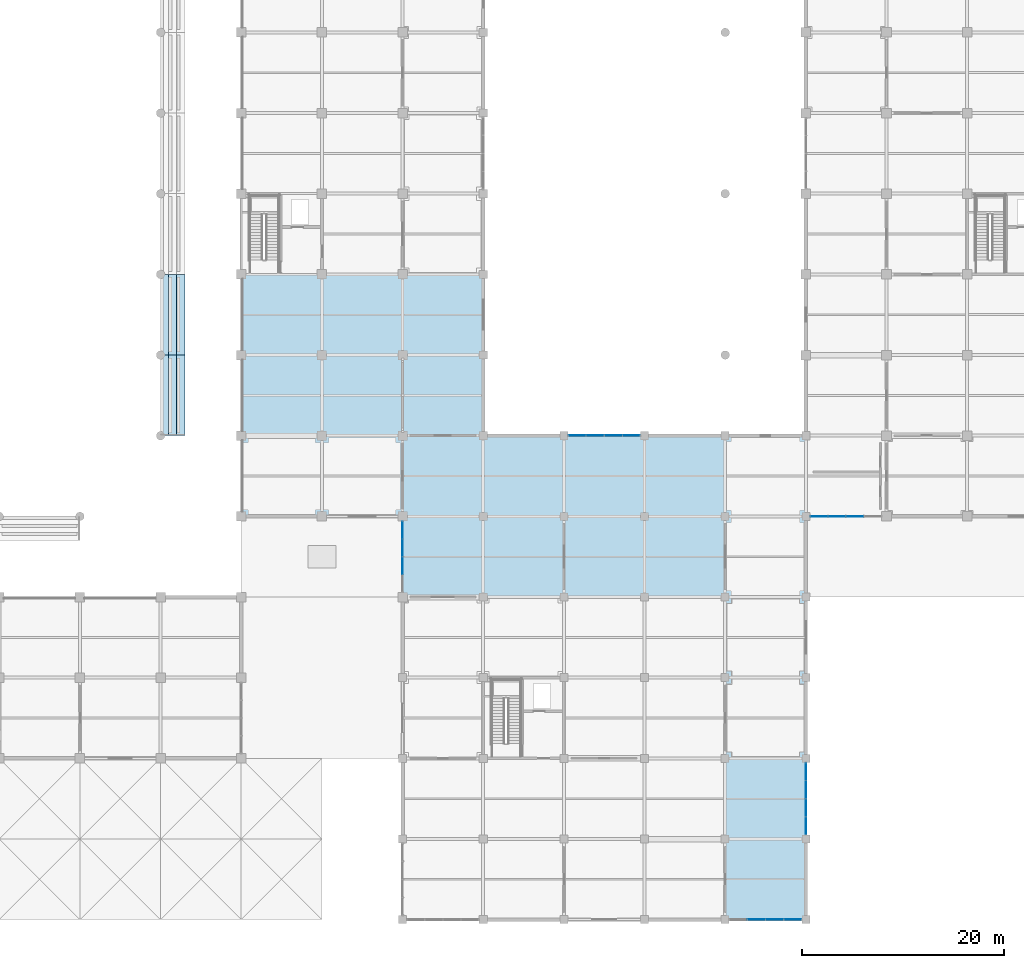
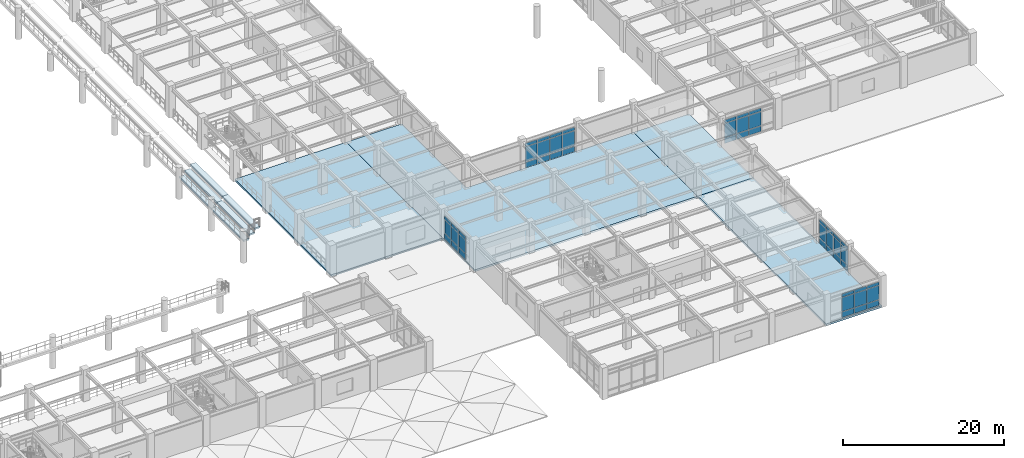
# One storey, part 59 of 109: 51 plates, 10 slabs, 5 elements without a shape of their own.
"""IFC4 building model written with IfcOpenShell, lengths in metres."""

from ifc_helpers import new_model, si_unit, direction, frame, origin, origin_2d, place, context, subcontext, project, spatial, polyline, rectangle, outline, extrude, material, layer, layer_set, type_object, element, aggregate, save


model = new_model("IFC4")

# Units and contexts
model_context = context("Model", 3, precision=1e-05, world=origin(), true_north=direction((0.0, 1.0)))
body_context = subcontext(model_context, "Body", "Model", "MODEL_VIEW")
ifc_project = project(units=[si_unit("LENGTHUNIT", "METRE"), si_unit("AREAUNIT", "SQUARE_METRE"), si_unit("VOLUMEUNIT", "CUBIC_METRE"), si_unit("PLANEANGLEUNIT", "RADIAN"), si_unit("MASSUNIT", "GRAM", prefix="KILO")], contexts=[model_context])

# Site, building, storey
site_placement = place(None, origin())
site = spatial("IfcSite", under=ifc_project, at=site_placement, CompositionType="ELEMENT")
building_placement = place(site_placement, origin())
building = spatial("IfcBuilding", under=site, at=building_placement, Name="Haebicheon Civic Stadium", CompositionType="ELEMENT")
storey_placement = place(building_placement, frame((0.0, 0.0, 9.60009765625)))
storey = spatial("IfcBuildingStorey", under=building, at=storey_placement, Name="L03", CompositionType="ELEMENT", Elevation=9.60009765625)

# Curtain wall, plates
ifc_material_1 = material(Name="Anodised aluminium and laminated glass", Category="aluminium")
ifc_layer_1 = layer(ifc_material_1, 0.179931640625, Name="Anodised aluminium and laminated glass")
ifc_layer_set_1 = layer_set([ifc_layer_1], Name="Anodised aluminium and laminated glass")
curtain_wall_type_1 = type_object("IfcCurtainWallType", Name="CW-7050x3520", PredefinedType="NOTDEFINED", material=ifc_layer_set_1)
curtain_wall_1_placement = place(storey_placement, origin())
curtain_wall_1 = element("IfcCurtainWall", 1, at=curtain_wall_1_placement, inside=storey, type_object=curtain_wall_type_1, material=ifc_layer_set_1, Name="L03 unitised curtain wall 087", PredefinedType="NOTDEFINED")
ifc_material_2 = material(Name="Double low-e laminated glass", Category="glass")
ifc_layer_2 = layer(ifc_material_2, 0.028076171875, Name="Double low-e laminated glass")
ifc_layer_set_2 = layer_set([ifc_layer_2], Name="Double low-e laminated glass")
plate_type_1 = type_object("IfcPlateType", Name="CWP-GLZ-28", PredefinedType="CURTAIN_PANEL", material=ifc_layer_set_2)
plate_1_placement = place(storey_placement, frame((160.0, 35.117919921875, 1.094970703125), z_axis=(0.0, 0.0, 1.0), x_axis=(0.0, 1.0, 0.0)))
plate_1 = element("IfcPlate", 2, at=plate_1_placement, type_object=plate_type_1, material=ifc_layer_set_2, Name="CW-L03-087 vision panel 2.2", PredefinedType="CURTAIN_PANEL", context=body_context, shape_type="SweptSolid", body=[
    extrude(rectangle(XDim=1.693115234375, YDim=0.028076171875, at=origin_2d()), origin(), (0.0, 0.0, 1.0), 2.0),
])
plate_2_placement = place(storey_placement, frame((160.0, 36.882080078125, 1.094970703125), z_axis=(0.0, 0.0, 1.0), x_axis=(0.0, 1.0, 0.0)))
plate_2 = element("IfcPlate", 3, at=plate_2_placement, type_object=plate_type_1, material=ifc_layer_set_2, Name="CW-L03-087 vision panel 3.2", PredefinedType="CURTAIN_PANEL", context=body_context, shape_type="SweptSolid", body=[
    extrude(rectangle(XDim=1.693115234375, YDim=0.028076171875, at=origin_2d()), origin(), (0.0, 0.0, 1.0), 2.0),
])
plate_3_placement = place(storey_placement, frame((160.0, 38.6259765625, 1.094970703125), z_axis=(0.0, 0.0, 1.0), x_axis=(0.0, 1.0, 0.0)))
plate_3 = element("IfcPlate", 4, at=plate_3_placement, type_object=plate_type_1, material=ifc_layer_set_2, Name="CW-L03-087 vision panel 4.2", PredefinedType="CURTAIN_PANEL", context=body_context, shape_type="SweptSolid", body=[
    extrude(rectangle(XDim=1.656982421875, YDim=0.028076171875, at=origin_2d()), origin(), (0.0, 0.0, 1.0), 2.0),
])

ifc_material_3 = material(Name="Anodised aluminium and laminated glass", Category="aluminium")
ifc_layer_3 = layer(ifc_material_3, 0.179931640625, Name="Anodised aluminium and laminated glass")
ifc_layer_set_3 = layer_set([ifc_layer_3], Name="Anodised aluminium and laminated glass")
curtain_wall_type_2 = type_object("IfcCurtainWallType", Name="CW-7200x3790", PredefinedType="NOTDEFINED", material=ifc_layer_set_3)
curtain_wall_2_placement = place(storey_placement, origin())
curtain_wall_2 = element("IfcCurtainWall", 5, at=curtain_wall_2_placement, inside=storey, type_object=curtain_wall_type_2, material=ifc_layer_set_3, Name="L03 unitised curtain wall 092", PredefinedType="NOTDEFINED")
plate_4_placement = place(storey_placement, frame((177.318115234375, 48.0, 0.934814453125), z_axis=(0.0, 0.0, 1.0), x_axis=(1.0, 0.0, 0.0)))
plate_4 = element("IfcPlate", 6, at=plate_4_placement, type_object=plate_type_1, material=ifc_layer_set_2, Name="CW-L03-092 vision panel 1.2", PredefinedType="CURTAIN_PANEL", context=body_context, shape_type="SweptSolid", body=[
    extrude(rectangle(XDim=1.695068359375, YDim=0.028076171875, at=origin_2d()), origin(), (0.0, 0.0, 1.0), 2.27001953125),
])
plate_5_placement = place(storey_placement, frame((179.10009765625, 48.0, 0.934814453125), z_axis=(0.0, 0.0, 1.0), x_axis=(1.0, 0.0, 0.0)))
plate_5 = element("IfcPlate", 7, at=plate_5_placement, type_object=plate_type_1, material=ifc_layer_set_2, Name="CW-L03-092 vision panel 2.2", PredefinedType="CURTAIN_PANEL", context=body_context, shape_type="SweptSolid", body=[
    extrude(rectangle(XDim=1.72998046875, YDim=0.028076171875, at=origin_2d()), origin(), (0.0, 0.0, 1.0), 2.27001953125),
])
plate_6_placement = place(storey_placement, frame((180.89990234375, 48.0, 0.934814453125), z_axis=(0.0, 0.0, 1.0), x_axis=(1.0, 0.0, 0.0)))
plate_6 = element("IfcPlate", 8, at=plate_6_placement, type_object=plate_type_1, material=ifc_layer_set_2, Name="CW-L03-092 vision panel 3.2", PredefinedType="CURTAIN_PANEL", context=body_context, shape_type="SweptSolid", body=[
    extrude(rectangle(XDim=1.72998046875, YDim=0.028076171875, at=origin_2d()), origin(), (0.0, 0.0, 1.0), 2.27001953125),
])
plate_7_placement = place(storey_placement, frame((182.681884765625, 48.0, 0.934814453125), z_axis=(0.0, 0.0, 1.0), x_axis=(1.0, 0.0, 0.0)))
plate_7 = element("IfcPlate", 9, at=plate_7_placement, type_object=plate_type_1, material=ifc_layer_set_2, Name="CW-L03-092 vision panel 4.2", PredefinedType="CURTAIN_PANEL", context=body_context, shape_type="SweptSolid", body=[
    extrude(rectangle(XDim=1.695068359375, YDim=0.028076171875, at=origin_2d()), origin(), (0.0, 0.0, 1.0), 2.27001953125),
])

ifc_material_4 = material(Name="Anodised aluminium and laminated glass", Category="aluminium")
ifc_layer_4 = layer(ifc_material_4, 0.179931640625, Name="Anodised aluminium and laminated glass")
ifc_layer_set_4 = layer_set([ifc_layer_4], Name="Anodised aluminium and laminated glass")
curtain_wall_type_3 = type_object("IfcCurtainWallType", Name="CW-7200x3630", PredefinedType="NOTDEFINED", material=ifc_layer_set_4)
curtain_wall_3_placement = place(storey_placement, origin())
curtain_wall_3 = element("IfcCurtainWall", 10, at=curtain_wall_3_placement, inside=storey, type_object=curtain_wall_type_3, material=ifc_layer_set_4, Name="L03 unitised curtain wall 094", PredefinedType="NOTDEFINED")
plate_8_placement = place(storey_placement, frame((195.10009765625, 0.0, 1.0947265625), z_axis=(0.0, 0.0, 1.0), x_axis=(1.0, 0.0, 0.0)))
plate_8 = element("IfcPlate", 11, at=plate_8_placement, type_object=plate_type_1, material=ifc_layer_set_2, Name="CW-L03-094 vision panel 2.2", PredefinedType="CURTAIN_PANEL", context=body_context, shape_type="SweptSolid", body=[
    extrude(rectangle(XDim=1.72998046875, YDim=0.028076171875, at=origin_2d()), origin(), (0.0, 0.0, 1.0), 2.110107421875),
])
plate_9_placement = place(storey_placement, frame((196.89990234375, 0.0, 1.0947265625), z_axis=(0.0, 0.0, 1.0), x_axis=(1.0, 0.0, 0.0)))
plate_9 = element("IfcPlate", 12, at=plate_9_placement, type_object=plate_type_1, material=ifc_layer_set_2, Name="CW-L03-094 vision panel 3.2", PredefinedType="CURTAIN_PANEL", context=body_context, shape_type="SweptSolid", body=[
    extrude(rectangle(XDim=1.72998046875, YDim=0.028076171875, at=origin_2d()), origin(), (0.0, 0.0, 1.0), 2.110107421875),
])
plate_10_placement = place(storey_placement, frame((198.681884765625, 0.0, 1.0947265625), z_axis=(0.0, 0.0, 1.0), x_axis=(1.0, 0.0, 0.0)))
plate_10 = element("IfcPlate", 13, at=plate_10_placement, type_object=plate_type_1, material=ifc_layer_set_2, Name="CW-L03-094 vision panel 4.2", PredefinedType="CURTAIN_PANEL", context=body_context, shape_type="SweptSolid", body=[
    extrude(rectangle(XDim=1.695068359375, YDim=0.028076171875, at=origin_2d()), origin(), (0.0, 0.0, 1.0), 2.110107421875),
])

curtain_wall_4_placement = place(storey_placement, origin())
curtain_wall_4 = element("IfcCurtainWall", 14, at=curtain_wall_4_placement, inside=storey, type_object=curtain_wall_type_2, material=ifc_layer_set_3, Name="L03 unitised curtain wall 095", PredefinedType="NOTDEFINED")
plate_11_placement = place(storey_placement, frame((200.0, 9.318115234375, 0.934814453125), z_axis=(0.0, 0.0, 1.0), x_axis=(0.0, 1.0, 0.0)))
plate_11 = element("IfcPlate", 15, at=plate_11_placement, type_object=plate_type_1, material=ifc_layer_set_2, Name="CW-L03-095 vision panel 1.2", PredefinedType="CURTAIN_PANEL", context=body_context, shape_type="SweptSolid", body=[
    extrude(rectangle(XDim=1.695068359375, YDim=0.028076171875, at=origin_2d()), origin(), (0.0, 0.0, 1.0), 2.27001953125),
])
plate_12_placement = place(storey_placement, frame((200.0, 11.10009765625, 0.934814453125), z_axis=(0.0, 0.0, 1.0), x_axis=(0.0, 1.0, 0.0)))
plate_12 = element("IfcPlate", 16, at=plate_12_placement, type_object=plate_type_1, material=ifc_layer_set_2, Name="CW-L03-095 vision panel 2.2", PredefinedType="CURTAIN_PANEL", context=body_context, shape_type="SweptSolid", body=[
    extrude(rectangle(XDim=1.72998046875, YDim=0.028076171875, at=origin_2d()), origin(), (0.0, 0.0, 1.0), 2.27001953125),
])
plate_13_placement = place(storey_placement, frame((200.0, 12.89990234375, 0.934814453125), z_axis=(0.0, 0.0, 1.0), x_axis=(0.0, 1.0, 0.0)))
plate_13 = element("IfcPlate", 17, at=plate_13_placement, type_object=plate_type_1, material=ifc_layer_set_2, Name="CW-L03-095 vision panel 3.2", PredefinedType="CURTAIN_PANEL", context=body_context, shape_type="SweptSolid", body=[
    extrude(rectangle(XDim=1.72998046875, YDim=0.028076171875, at=origin_2d()), origin(), (0.0, 0.0, 1.0), 2.27001953125),
])
plate_14_placement = place(storey_placement, frame((200.0, 14.681884765625, 0.934814453125), z_axis=(0.0, 0.0, 1.0), x_axis=(0.0, 1.0, 0.0)))
plate_14 = element("IfcPlate", 18, at=plate_14_placement, type_object=plate_type_1, material=ifc_layer_set_2, Name="CW-L03-095 vision panel 4.2", PredefinedType="CURTAIN_PANEL", context=body_context, shape_type="SweptSolid", body=[
    extrude(rectangle(XDim=1.695068359375, YDim=0.028076171875, at=origin_2d()), origin(), (0.0, 0.0, 1.0), 2.27001953125),
])

ifc_material_5 = material(Name="Anodised aluminium and laminated glass", Category="aluminium")
ifc_layer_5 = layer(ifc_material_5, 0.179931640625, Name="Anodised aluminium and laminated glass")
ifc_layer_set_5 = layer_set([ifc_layer_5], Name="Anodised aluminium and laminated glass")
curtain_wall_type_4 = type_object("IfcCurtainWallType", Name="CW-7125x3630", PredefinedType="NOTDEFINED", material=ifc_layer_set_5)
curtain_wall_5_placement = place(storey_placement, origin())
curtain_wall_5 = element("IfcCurtainWall", 19, at=curtain_wall_5_placement, inside=storey, type_object=curtain_wall_type_4, material=ifc_layer_set_5, Name="L03 unitised curtain wall 097", PredefinedType="NOTDEFINED")
plate_15_placement = place(storey_placement, frame((201.30810546875, 40.0, 1.0947265625), z_axis=(0.0, 0.0, 1.0), x_axis=(1.0, 0.0, 0.0)))
plate_15 = element("IfcPlate", 20, at=plate_15_placement, type_object=plate_type_1, material=ifc_layer_set_2, Name="CW-L03-097 vision panel 1.2", PredefinedType="CURTAIN_PANEL", context=body_context, shape_type="SweptSolid", body=[
    extrude(rectangle(XDim=1.676025390625, YDim=0.028076171875, at=origin_2d()), origin(), (0.0, 0.0, 1.0), 2.110107421875),
])
plate_16_placement = place(storey_placement, frame((203.072021484375, 40.0, 1.0947265625), z_axis=(0.0, 0.0, 1.0), x_axis=(1.0, 0.0, 0.0)))
plate_16 = element("IfcPlate", 21, at=plate_16_placement, type_object=plate_type_1, material=ifc_layer_set_2, Name="CW-L03-097 vision panel 2.2", PredefinedType="CURTAIN_PANEL", context=body_context, shape_type="SweptSolid", body=[
    extrude(rectangle(XDim=1.7109375, YDim=0.028076171875, at=origin_2d()), origin(), (0.0, 0.0, 1.0), 2.110107421875),
])
plate_17_placement = place(storey_placement, frame((204.85302734375, 40.0, 1.0947265625), z_axis=(0.0, 0.0, 1.0), x_axis=(1.0, 0.0, 0.0)))
plate_17 = element("IfcPlate", 22, at=plate_17_placement, type_object=plate_type_1, material=ifc_layer_set_2, Name="CW-L03-097 vision panel 3.2", PredefinedType="CURTAIN_PANEL", context=body_context, shape_type="SweptSolid", body=[
    extrude(rectangle(XDim=1.7119140625, YDim=0.028076171875, at=origin_2d()), origin(), (0.0, 0.0, 1.0), 2.110107421875),
])

# Plate
ifc_material_6 = material(Name="Anodised aluminium 6063-T6", Category="aluminium")
ifc_layer_6 = layer(ifc_material_6, 0.0439453125, Name="Anodised aluminium 6063-T6")
ifc_layer_set_6 = layer_set([ifc_layer_6], Name="Anodised aluminium 6063-T6")
plate_type_2 = type_object("IfcPlateType", Name="CWP-SPD-44", PredefinedType="CURTAIN_PANEL", material=ifc_layer_set_6)
plate_18_placement = place(storey_placement, frame((160.0, 35.117919921875, 0.19482421875), z_axis=(0.0, 0.0, 1.0), x_axis=(0.0, 1.0, 0.0)))
plate_18 = element("IfcPlate", 23, at=plate_18_placement, type_object=plate_type_2, material=ifc_layer_set_6, Name="CW-L03-087 spandrel panel 2.1", PredefinedType="CURTAIN_PANEL", context=body_context, shape_type="SweptSolid", body=[
    extrude(rectangle(XDim=1.693115234375, YDim=0.0439453125, at=origin_2d()), origin(), (0.0, 0.0, 1.0), 0.830078125),
])

plate_19_placement = place(storey_placement, frame((160.0, 35.117919921875, 3.164794921875), z_axis=(0.0, 0.0, 1.0), x_axis=(0.0, 1.0, 0.0)))
plate_19 = element("IfcPlate", 24, at=plate_19_placement, type_object=plate_type_2, material=ifc_layer_set_6, Name="CW-L03-087 spandrel panel 2.3", PredefinedType="CURTAIN_PANEL", context=body_context, shape_type="SweptSolid", body=[
    extrude(rectangle(XDim=1.693115234375, YDim=0.0439453125, at=origin_2d()), origin(), (0.0, 0.0, 1.0), 0.47998046875),
])

plate_20_placement = place(storey_placement, frame((160.0, 36.882080078125, 0.19482421875), z_axis=(0.0, 0.0, 1.0), x_axis=(0.0, 1.0, 0.0)))
plate_20 = element("IfcPlate", 25, at=plate_20_placement, type_object=plate_type_2, material=ifc_layer_set_6, Name="CW-L03-087 spandrel panel 3.1", PredefinedType="CURTAIN_PANEL", context=body_context, shape_type="SweptSolid", body=[
    extrude(rectangle(XDim=1.693115234375, YDim=0.0439453125, at=origin_2d()), origin(), (0.0, 0.0, 1.0), 0.830078125),
])

plate_21_placement = place(storey_placement, frame((160.0, 36.882080078125, 3.164794921875), z_axis=(0.0, 0.0, 1.0), x_axis=(0.0, 1.0, 0.0)))
plate_21 = element("IfcPlate", 26, at=plate_21_placement, type_object=plate_type_2, material=ifc_layer_set_6, Name="CW-L03-087 spandrel panel 3.3", PredefinedType="CURTAIN_PANEL", context=body_context, shape_type="SweptSolid", body=[
    extrude(rectangle(XDim=1.693115234375, YDim=0.0439453125, at=origin_2d()), origin(), (0.0, 0.0, 1.0), 0.47998046875),
])

plate_22_placement = place(storey_placement, frame((160.0, 38.6259765625, 0.19482421875), z_axis=(0.0, 0.0, 1.0), x_axis=(0.0, 1.0, 0.0)))
plate_22 = element("IfcPlate", 27, at=plate_22_placement, type_object=plate_type_2, material=ifc_layer_set_6, Name="CW-L03-087 spandrel panel 4.1", PredefinedType="CURTAIN_PANEL", context=body_context, shape_type="SweptSolid", body=[
    extrude(rectangle(XDim=1.656982421875, YDim=0.0439453125, at=origin_2d()), origin(), (0.0, 0.0, 1.0), 0.830078125),
])

plate_23_placement = place(storey_placement, frame((160.0, 38.6259765625, 3.164794921875), z_axis=(0.0, 0.0, 1.0), x_axis=(0.0, 1.0, 0.0)))
plate_23 = element("IfcPlate", 28, at=plate_23_placement, type_object=plate_type_2, material=ifc_layer_set_6, Name="CW-L03-087 spandrel panel 4.3", PredefinedType="CURTAIN_PANEL", context=body_context, shape_type="SweptSolid", body=[
    extrude(rectangle(XDim=1.656982421875, YDim=0.0439453125, at=origin_2d()), origin(), (0.0, 0.0, 1.0), 0.47998046875),
])

aggregate(curtain_wall_1, [plate_18, plate_1, plate_19, plate_20, plate_2, plate_21, plate_22, plate_3, plate_23])

plate_24_placement = place(storey_placement, frame((177.318115234375, 48.0, 0.034912109375), z_axis=(0.0, 0.0, 1.0), x_axis=(1.0, 0.0, 0.0)))
plate_24 = element("IfcPlate", 29, at=plate_24_placement, type_object=plate_type_2, material=ifc_layer_set_6, Name="CW-L03-092 spandrel panel 1.1", PredefinedType="CURTAIN_PANEL", context=body_context, shape_type="SweptSolid", body=[
    extrude(rectangle(XDim=1.695068359375, YDim=0.0439453125, at=origin_2d()), origin(), (0.0, 0.0, 1.0), 0.830078125),
])

plate_25_placement = place(storey_placement, frame((177.318115234375, 48.0, 3.27490234375), z_axis=(0.0, 0.0, 1.0), x_axis=(1.0, 0.0, 0.0)))
plate_25 = element("IfcPlate", 30, at=plate_25_placement, type_object=plate_type_2, material=ifc_layer_set_6, Name="CW-L03-092 spandrel panel 1.3", PredefinedType="CURTAIN_PANEL", context=body_context, shape_type="SweptSolid", body=[
    extrude(rectangle(XDim=1.695068359375, YDim=0.0439453125, at=origin_2d()), origin(), (0.0, 0.0, 1.0), 0.47998046875),
])

plate_26_placement = place(storey_placement, frame((179.10009765625, 48.0, 0.034912109375), z_axis=(0.0, 0.0, 1.0), x_axis=(1.0, 0.0, 0.0)))
plate_26 = element("IfcPlate", 31, at=plate_26_placement, type_object=plate_type_2, material=ifc_layer_set_6, Name="CW-L03-092 spandrel panel 2.1", PredefinedType="CURTAIN_PANEL", context=body_context, shape_type="SweptSolid", body=[
    extrude(rectangle(XDim=1.72998046875, YDim=0.0439453125, at=origin_2d()), origin(), (0.0, 0.0, 1.0), 0.830078125),
])

plate_27_placement = place(storey_placement, frame((179.10009765625, 48.0, 3.27490234375), z_axis=(0.0, 0.0, 1.0), x_axis=(1.0, 0.0, 0.0)))
plate_27 = element("IfcPlate", 32, at=plate_27_placement, type_object=plate_type_2, material=ifc_layer_set_6, Name="CW-L03-092 spandrel panel 2.3", PredefinedType="CURTAIN_PANEL", context=body_context, shape_type="SweptSolid", body=[
    extrude(rectangle(XDim=1.72998046875, YDim=0.0439453125, at=origin_2d()), origin(), (0.0, 0.0, 1.0), 0.47998046875),
])

plate_28_placement = place(storey_placement, frame((180.89990234375, 48.0, 0.034912109375), z_axis=(0.0, 0.0, 1.0), x_axis=(1.0, 0.0, 0.0)))
plate_28 = element("IfcPlate", 33, at=plate_28_placement, type_object=plate_type_2, material=ifc_layer_set_6, Name="CW-L03-092 spandrel panel 3.1", PredefinedType="CURTAIN_PANEL", context=body_context, shape_type="SweptSolid", body=[
    extrude(rectangle(XDim=1.72998046875, YDim=0.0439453125, at=origin_2d()), origin(), (0.0, 0.0, 1.0), 0.830078125),
])

plate_29_placement = place(storey_placement, frame((180.89990234375, 48.0, 3.27490234375), z_axis=(0.0, 0.0, 1.0), x_axis=(1.0, 0.0, 0.0)))
plate_29 = element("IfcPlate", 34, at=plate_29_placement, type_object=plate_type_2, material=ifc_layer_set_6, Name="CW-L03-092 spandrel panel 3.3", PredefinedType="CURTAIN_PANEL", context=body_context, shape_type="SweptSolid", body=[
    extrude(rectangle(XDim=1.72998046875, YDim=0.0439453125, at=origin_2d()), origin(), (0.0, 0.0, 1.0), 0.47998046875),
])

plate_30_placement = place(storey_placement, frame((182.681884765625, 48.0, 0.034912109375), z_axis=(0.0, 0.0, 1.0), x_axis=(1.0, 0.0, 0.0)))
plate_30 = element("IfcPlate", 35, at=plate_30_placement, type_object=plate_type_2, material=ifc_layer_set_6, Name="CW-L03-092 spandrel panel 4.1", PredefinedType="CURTAIN_PANEL", context=body_context, shape_type="SweptSolid", body=[
    extrude(rectangle(XDim=1.695068359375, YDim=0.0439453125, at=origin_2d()), origin(), (0.0, 0.0, 1.0), 0.830078125),
])

plate_31_placement = place(storey_placement, frame((182.681884765625, 48.0, 3.27490234375), z_axis=(0.0, 0.0, 1.0), x_axis=(1.0, 0.0, 0.0)))
plate_31 = element("IfcPlate", 36, at=plate_31_placement, type_object=plate_type_2, material=ifc_layer_set_6, Name="CW-L03-092 spandrel panel 4.3", PredefinedType="CURTAIN_PANEL", context=body_context, shape_type="SweptSolid", body=[
    extrude(rectangle(XDim=1.695068359375, YDim=0.0439453125, at=origin_2d()), origin(), (0.0, 0.0, 1.0), 0.47998046875),
])

aggregate(curtain_wall_2, [plate_24, plate_4, plate_25, plate_26, plate_5, plate_27, plate_28, plate_6, plate_29, plate_30, plate_7, plate_31])

plate_32_placement = place(storey_placement, frame((195.10009765625, 0.0, 0.19482421875), z_axis=(0.0, 0.0, 1.0), x_axis=(1.0, 0.0, 0.0)))
plate_32 = element("IfcPlate", 37, at=plate_32_placement, type_object=plate_type_2, material=ifc_layer_set_6, Name="CW-L03-094 spandrel panel 2.1", PredefinedType="CURTAIN_PANEL", context=body_context, shape_type="SweptSolid", body=[
    extrude(rectangle(XDim=1.72998046875, YDim=0.0439453125, at=origin_2d()), origin(), (0.0, 0.0, 1.0), 0.830078125),
])

plate_33_placement = place(storey_placement, frame((195.10009765625, 0.0, 3.27490234375), z_axis=(0.0, 0.0, 1.0), x_axis=(1.0, 0.0, 0.0)))
plate_33 = element("IfcPlate", 38, at=plate_33_placement, type_object=plate_type_2, material=ifc_layer_set_6, Name="CW-L03-094 spandrel panel 2.3", PredefinedType="CURTAIN_PANEL", context=body_context, shape_type="SweptSolid", body=[
    extrude(rectangle(XDim=1.72998046875, YDim=0.0439453125, at=origin_2d()), origin(), (0.0, 0.0, 1.0), 0.47998046875),
])

plate_34_placement = place(storey_placement, frame((196.89990234375, 0.0, 0.19482421875), z_axis=(0.0, 0.0, 1.0), x_axis=(1.0, 0.0, 0.0)))
plate_34 = element("IfcPlate", 39, at=plate_34_placement, type_object=plate_type_2, material=ifc_layer_set_6, Name="CW-L03-094 spandrel panel 3.1", PredefinedType="CURTAIN_PANEL", context=body_context, shape_type="SweptSolid", body=[
    extrude(rectangle(XDim=1.72998046875, YDim=0.0439453125, at=origin_2d()), origin(), (0.0, 0.0, 1.0), 0.830078125),
])

plate_35_placement = place(storey_placement, frame((196.89990234375, 0.0, 3.27490234375), z_axis=(0.0, 0.0, 1.0), x_axis=(1.0, 0.0, 0.0)))
plate_35 = element("IfcPlate", 40, at=plate_35_placement, type_object=plate_type_2, material=ifc_layer_set_6, Name="CW-L03-094 spandrel panel 3.3", PredefinedType="CURTAIN_PANEL", context=body_context, shape_type="SweptSolid", body=[
    extrude(rectangle(XDim=1.72998046875, YDim=0.0439453125, at=origin_2d()), origin(), (0.0, 0.0, 1.0), 0.47998046875),
])

plate_36_placement = place(storey_placement, frame((198.681884765625, 0.0, 0.19482421875), z_axis=(0.0, 0.0, 1.0), x_axis=(1.0, 0.0, 0.0)))
plate_36 = element("IfcPlate", 41, at=plate_36_placement, type_object=plate_type_2, material=ifc_layer_set_6, Name="CW-L03-094 spandrel panel 4.1", PredefinedType="CURTAIN_PANEL", context=body_context, shape_type="SweptSolid", body=[
    extrude(rectangle(XDim=1.695068359375, YDim=0.0439453125, at=origin_2d()), origin(), (0.0, 0.0, 1.0), 0.830078125),
])

plate_37_placement = place(storey_placement, frame((198.681884765625, 0.0, 3.27490234375), z_axis=(0.0, 0.0, 1.0), x_axis=(1.0, 0.0, 0.0)))
plate_37 = element("IfcPlate", 42, at=plate_37_placement, type_object=plate_type_2, material=ifc_layer_set_6, Name="CW-L03-094 spandrel panel 4.3", PredefinedType="CURTAIN_PANEL", context=body_context, shape_type="SweptSolid", body=[
    extrude(rectangle(XDim=1.695068359375, YDim=0.0439453125, at=origin_2d()), origin(), (0.0, 0.0, 1.0), 0.47998046875),
])

aggregate(curtain_wall_3, [plate_32, plate_8, plate_33, plate_34, plate_9, plate_35, plate_36, plate_10, plate_37])

plate_38_placement = place(storey_placement, frame((200.0, 9.318115234375, 0.034912109375), z_axis=(0.0, 0.0, 1.0), x_axis=(0.0, 1.0, 0.0)))
plate_38 = element("IfcPlate", 43, at=plate_38_placement, type_object=plate_type_2, material=ifc_layer_set_6, Name="CW-L03-095 spandrel panel 1.1", PredefinedType="CURTAIN_PANEL", context=body_context, shape_type="SweptSolid", body=[
    extrude(rectangle(XDim=1.695068359375, YDim=0.0439453125, at=origin_2d()), origin(), (0.0, 0.0, 1.0), 0.830078125),
])

plate_39_placement = place(storey_placement, frame((200.0, 9.318115234375, 3.27490234375), z_axis=(0.0, 0.0, 1.0), x_axis=(0.0, 1.0, 0.0)))
plate_39 = element("IfcPlate", 44, at=plate_39_placement, type_object=plate_type_2, material=ifc_layer_set_6, Name="CW-L03-095 spandrel panel 1.3", PredefinedType="CURTAIN_PANEL", context=body_context, shape_type="SweptSolid", body=[
    extrude(rectangle(XDim=1.695068359375, YDim=0.0439453125, at=origin_2d()), origin(), (0.0, 0.0, 1.0), 0.47998046875),
])

plate_40_placement = place(storey_placement, frame((200.0, 11.10009765625, 0.034912109375), z_axis=(0.0, 0.0, 1.0), x_axis=(0.0, 1.0, 0.0)))
plate_40 = element("IfcPlate", 45, at=plate_40_placement, type_object=plate_type_2, material=ifc_layer_set_6, Name="CW-L03-095 spandrel panel 2.1", PredefinedType="CURTAIN_PANEL", context=body_context, shape_type="SweptSolid", body=[
    extrude(rectangle(XDim=1.72998046875, YDim=0.0439453125, at=origin_2d()), origin(), (0.0, 0.0, 1.0), 0.830078125),
])

plate_41_placement = place(storey_placement, frame((200.0, 11.10009765625, 3.27490234375), z_axis=(0.0, 0.0, 1.0), x_axis=(0.0, 1.0, 0.0)))
plate_41 = element("IfcPlate", 46, at=plate_41_placement, type_object=plate_type_2, material=ifc_layer_set_6, Name="CW-L03-095 spandrel panel 2.3", PredefinedType="CURTAIN_PANEL", context=body_context, shape_type="SweptSolid", body=[
    extrude(rectangle(XDim=1.72998046875, YDim=0.0439453125, at=origin_2d()), origin(), (0.0, 0.0, 1.0), 0.47998046875),
])

plate_42_placement = place(storey_placement, frame((200.0, 12.89990234375, 0.034912109375), z_axis=(0.0, 0.0, 1.0), x_axis=(0.0, 1.0, 0.0)))
plate_42 = element("IfcPlate", 47, at=plate_42_placement, type_object=plate_type_2, material=ifc_layer_set_6, Name="CW-L03-095 spandrel panel 3.1", PredefinedType="CURTAIN_PANEL", context=body_context, shape_type="SweptSolid", body=[
    extrude(rectangle(XDim=1.72998046875, YDim=0.0439453125, at=origin_2d()), origin(), (0.0, 0.0, 1.0), 0.830078125),
])

plate_43_placement = place(storey_placement, frame((200.0, 12.89990234375, 3.27490234375), z_axis=(0.0, 0.0, 1.0), x_axis=(0.0, 1.0, 0.0)))
plate_43 = element("IfcPlate", 48, at=plate_43_placement, type_object=plate_type_2, material=ifc_layer_set_6, Name="CW-L03-095 spandrel panel 3.3", PredefinedType="CURTAIN_PANEL", context=body_context, shape_type="SweptSolid", body=[
    extrude(rectangle(XDim=1.72998046875, YDim=0.0439453125, at=origin_2d()), origin(), (0.0, 0.0, 1.0), 0.47998046875),
])

plate_44_placement = place(storey_placement, frame((200.0, 14.681884765625, 0.034912109375), z_axis=(0.0, 0.0, 1.0), x_axis=(0.0, 1.0, 0.0)))
plate_44 = element("IfcPlate", 49, at=plate_44_placement, type_object=plate_type_2, material=ifc_layer_set_6, Name="CW-L03-095 spandrel panel 4.1", PredefinedType="CURTAIN_PANEL", context=body_context, shape_type="SweptSolid", body=[
    extrude(rectangle(XDim=1.695068359375, YDim=0.0439453125, at=origin_2d()), origin(), (0.0, 0.0, 1.0), 0.830078125),
])

plate_45_placement = place(storey_placement, frame((200.0, 14.681884765625, 3.27490234375), z_axis=(0.0, 0.0, 1.0), x_axis=(0.0, 1.0, 0.0)))
plate_45 = element("IfcPlate", 50, at=plate_45_placement, type_object=plate_type_2, material=ifc_layer_set_6, Name="CW-L03-095 spandrel panel 4.3", PredefinedType="CURTAIN_PANEL", context=body_context, shape_type="SweptSolid", body=[
    extrude(rectangle(XDim=1.695068359375, YDim=0.0439453125, at=origin_2d()), origin(), (0.0, 0.0, 1.0), 0.47998046875),
])

aggregate(curtain_wall_4, [plate_38, plate_11, plate_39, plate_40, plate_12, plate_41, plate_42, plate_13, plate_43, plate_44, plate_14, plate_45])

plate_46_placement = place(storey_placement, frame((201.30810546875, 40.0, 0.19482421875), z_axis=(0.0, 0.0, 1.0), x_axis=(1.0, 0.0, 0.0)))
plate_46 = element("IfcPlate", 51, at=plate_46_placement, type_object=plate_type_2, material=ifc_layer_set_6, Name="CW-L03-097 spandrel panel 1.1", PredefinedType="CURTAIN_PANEL", context=body_context, shape_type="SweptSolid", body=[
    extrude(rectangle(XDim=1.676025390625, YDim=0.0439453125, at=origin_2d()), origin(), (0.0, 0.0, 1.0), 0.830078125),
])

plate_47_placement = place(storey_placement, frame((201.30810546875, 40.0, 3.27490234375), z_axis=(0.0, 0.0, 1.0), x_axis=(1.0, 0.0, 0.0)))
plate_47 = element("IfcPlate", 52, at=plate_47_placement, type_object=plate_type_2, material=ifc_layer_set_6, Name="CW-L03-097 spandrel panel 1.3", PredefinedType="CURTAIN_PANEL", context=body_context, shape_type="SweptSolid", body=[
    extrude(rectangle(XDim=1.676025390625, YDim=0.0439453125, at=origin_2d()), origin(), (0.0, 0.0, 1.0), 0.47998046875),
])

plate_48_placement = place(storey_placement, frame((203.072021484375, 40.0, 0.19482421875), z_axis=(0.0, 0.0, 1.0), x_axis=(1.0, 0.0, 0.0)))
plate_48 = element("IfcPlate", 53, at=plate_48_placement, type_object=plate_type_2, material=ifc_layer_set_6, Name="CW-L03-097 spandrel panel 2.1", PredefinedType="CURTAIN_PANEL", context=body_context, shape_type="SweptSolid", body=[
    extrude(rectangle(XDim=1.7109375, YDim=0.0439453125, at=origin_2d()), origin(), (0.0, 0.0, 1.0), 0.830078125),
])

plate_49_placement = place(storey_placement, frame((203.072021484375, 40.0, 3.27490234375), z_axis=(0.0, 0.0, 1.0), x_axis=(1.0, 0.0, 0.0)))
plate_49 = element("IfcPlate", 54, at=plate_49_placement, type_object=plate_type_2, material=ifc_layer_set_6, Name="CW-L03-097 spandrel panel 2.3", PredefinedType="CURTAIN_PANEL", context=body_context, shape_type="SweptSolid", body=[
    extrude(rectangle(XDim=1.7109375, YDim=0.0439453125, at=origin_2d()), origin(), (0.0, 0.0, 1.0), 0.47998046875),
])

plate_50_placement = place(storey_placement, frame((204.85302734375, 40.0, 0.19482421875), z_axis=(0.0, 0.0, 1.0), x_axis=(1.0, 0.0, 0.0)))
plate_50 = element("IfcPlate", 55, at=plate_50_placement, type_object=plate_type_2, material=ifc_layer_set_6, Name="CW-L03-097 spandrel panel 3.1", PredefinedType="CURTAIN_PANEL", context=body_context, shape_type="SweptSolid", body=[
    extrude(rectangle(XDim=1.7119140625, YDim=0.0439453125, at=origin_2d()), origin(), (0.0, 0.0, 1.0), 0.830078125),
])

plate_51_placement = place(storey_placement, frame((204.85302734375, 40.0, 3.27490234375), z_axis=(0.0, 0.0, 1.0), x_axis=(1.0, 0.0, 0.0)))
plate_51 = element("IfcPlate", 56, at=plate_51_placement, type_object=plate_type_2, material=ifc_layer_set_6, Name="CW-L03-097 spandrel panel 3.3", PredefinedType="CURTAIN_PANEL", context=body_context, shape_type="SweptSolid", body=[
    extrude(rectangle(XDim=1.7119140625, YDim=0.0439453125, at=origin_2d()), origin(), (0.0, 0.0, 1.0), 0.47998046875),
])

aggregate(curtain_wall_5, [plate_46, plate_15, plate_47, plate_48, plate_16, plate_49, plate_50, plate_17, plate_51])

# Slabs
ifc_material_7 = material(Name="Concrete C40/50", Category="concrete")
ifc_layer_7 = layer(ifc_material_7, 0.280029296875, Name="Concrete C40/50")
ifc_layer_set_7 = layer_set([ifc_layer_7], Name="Concrete C40/50")
slab_type_1 = type_object("IfcSlabType", Name="SLB-FLR-280", PredefinedType="FLOOR", material=ifc_layer_set_7)
slab_1_placement = place(storey_placement, frame((0.0, 0.0, -0.280029296875)))
element("IfcSlab", 57, at=slab_1_placement, inside=storey, type_object=slab_type_1, material=ifc_layer_set_7, Name="L03 V2 structural slab 8.1", PredefinedType="FLOOR", context=body_context, shape_type="SweptSolid", body=[
    extrude(outline(polyline([(144.0, 48.0), (144.0, 56.0), (144.0, 64.0), (152.0, 64.0), (160.0, 64.0), (160.0, 56.0), (160.0, 48.0), (160.0, 40.0), (152.0, 40.0), (144.0, 40.0), (144.0, 48.0)])), origin(), (0.0, 0.0, 1.0), 0.280029296875),
])
slab_2_placement = place(storey_placement, frame((0.0, 0.0, -0.280029296875)))
element("IfcSlab", 58, at=slab_2_placement, inside=storey, type_object=slab_type_1, material=ifc_layer_set_7, Name="L03 V4 structural slab 2.1", PredefinedType="FLOOR", context=body_context, shape_type="SweptSolid", body=[
    extrude(outline(polyline([(160.0, 48.0), (160.0, 56.0), (160.0, 64.0), (168.0, 64.0), (168.0, 56.0), (168.0, 48.0), (176.0, 48.0), (184.0, 48.0), (192.0, 48.0), (192.0, 40.0), (192.0, 32.0), (184.0, 32.0), (176.0, 32.0), (168.0, 32.0), (160.0, 32.0), (160.0, 40.0), (160.0, 48.0)])), origin(), (0.0, 0.0, 1.0), 0.280029296875),
])
slab_3_placement = place(storey_placement, frame((0.0, 0.0, -0.280029296875)))
element("IfcSlab", 59, at=slab_3_placement, inside=storey, type_object=slab_type_1, material=ifc_layer_set_7, Name="L03 V4 structural slab 7.1", PredefinedType="FLOOR", context=body_context, shape_type="SweptSolid", body=[
    extrude(outline(polyline([(192.0, 0.0), (192.0, 8.0), (192.0, 16.0), (192.0, 24.0), (192.0, 32.0), (200.0, 32.0), (200.0, 24.0), (200.0, 16.0), (200.0, 8.0), (200.0, 0.0), (192.0, 0.0)])), origin(), (0.0, 0.0, 1.0), 0.280029296875),
])
slab_4_placement = place(storey_placement, frame((0.0, 0.0, -0.280029296875)))
element("IfcSlab", 60, at=slab_4_placement, inside=storey, type_object=slab_type_1, material=ifc_layer_set_7, Name="L03 V4 structural slab 8.1", PredefinedType="FLOOR", context=body_context, shape_type="SweptSolid", body=[
    extrude(outline(polyline([(200.0, 32.0), (192.0, 32.0), (192.0, 40.0), (192.0, 48.0), (200.0, 48.0), (200.0, 40.0), (200.0, 32.0)])), origin(), (0.0, 0.0, 1.0), 0.280029296875),
])
ifc_material_8 = material(Name="Precast concrete C40/50", Category="concrete")
ifc_layer_8 = layer(ifc_material_8, 0.239990234375, Name="Precast concrete C40/50")
ifc_layer_set_8 = layer_set([ifc_layer_8], Name="Precast concrete C40/50")
slab_type_2 = type_object("IfcSlabType", Name="SLB-TIER-240", PredefinedType="USERDEFINED", material=ifc_layer_set_8)
slab_5_placement = place(storey_placement, frame((0.0, 0.0, 2.9599609375)))
element("IfcSlab", 61, at=slab_5_placement, inside=storey, type_object=slab_type_2, material=ifc_layer_set_8, Name="TIER-E-U precast seating tier bay 1 row-band 1", ObjectType="SEATING TIER", PredefinedType="USERDEFINED", context=body_context, shape_type="SweptSolid", body=[
    extrude(outline(polyline([(136.0, 48.0), (136.800048828125, 48.0), (136.800048828125, 56.0), (136.0, 56.0), (136.0, 48.0)])), origin(), (0.0, 0.0, 1.0), 0.239990234375),
])
slab_6_placement = place(storey_placement, frame((0.0, 0.0, 3.60400390625)))
element("IfcSlab", 62, at=slab_6_placement, inside=storey, type_object=slab_type_2, material=ifc_layer_set_8, Name="TIER-E-U precast seating tier bay 1 row-band 2", ObjectType="SEATING TIER", PredefinedType="USERDEFINED", context=body_context, shape_type="SweptSolid", body=[
    extrude(outline(polyline([(136.800048828125, 48.0), (137.60009765625, 48.0), (137.60009765625, 56.0), (136.800048828125, 56.0), (136.800048828125, 48.0)])), origin(), (0.0, 0.0, 1.0), 0.239990234375),
])
slab_7_placement = place(storey_placement, frame((0.0, 0.0, 4.2490234375)))
element("IfcSlab", 63, at=slab_7_placement, inside=storey, type_object=slab_type_2, material=ifc_layer_set_8, Name="TIER-E-U precast seating tier bay 1 row-band 3", ObjectType="SEATING TIER", PredefinedType="USERDEFINED", context=body_context, shape_type="SweptSolid", body=[
    extrude(outline(polyline([(137.60009765625, 48.0), (138.39990234375, 48.0), (138.39990234375, 56.0), (137.60009765625, 56.0), (137.60009765625, 48.0)])), origin(), (0.0, 0.0, 1.0), 0.239990234375),
])
slab_8_placement = place(storey_placement, frame((0.0, 0.0, 2.9599609375)))
element("IfcSlab", 64, at=slab_8_placement, inside=storey, type_object=slab_type_2, material=ifc_layer_set_8, Name="TIER-E-U precast seating tier bay 2 row-band 1", ObjectType="SEATING TIER", PredefinedType="USERDEFINED", context=body_context, shape_type="SweptSolid", body=[
    extrude(outline(polyline([(136.0, 56.0), (136.800048828125, 56.0), (136.800048828125, 64.0), (136.0, 64.0), (136.0, 56.0)])), origin(), (0.0, 0.0, 1.0), 0.239990234375),
])
slab_9_placement = place(storey_placement, frame((0.0, 0.0, 3.60400390625)))
element("IfcSlab", 65, at=slab_9_placement, inside=storey, type_object=slab_type_2, material=ifc_layer_set_8, Name="TIER-E-U precast seating tier bay 2 row-band 2", ObjectType="SEATING TIER", PredefinedType="USERDEFINED", context=body_context, shape_type="SweptSolid", body=[
    extrude(outline(polyline([(136.800048828125, 56.0), (137.60009765625, 56.0), (137.60009765625, 64.0), (136.800048828125, 64.0), (136.800048828125, 56.0)])), origin(), (0.0, 0.0, 1.0), 0.239990234375),
])
slab_10_placement = place(storey_placement, frame((0.0, 0.0, 4.2490234375)))
element("IfcSlab", 66, at=slab_10_placement, inside=storey, type_object=slab_type_2, material=ifc_layer_set_8, Name="TIER-E-U precast seating tier bay 2 row-band 3", ObjectType="SEATING TIER", PredefinedType="USERDEFINED", context=body_context, shape_type="SweptSolid", body=[
    extrude(outline(polyline([(137.60009765625, 56.0), (138.39990234375, 56.0), (138.39990234375, 64.0), (137.60009765625, 64.0), (137.60009765625, 56.0)])), origin(), (0.0, 0.0, 1.0), 0.239990234375),
])

save(model, "model.ifc")
